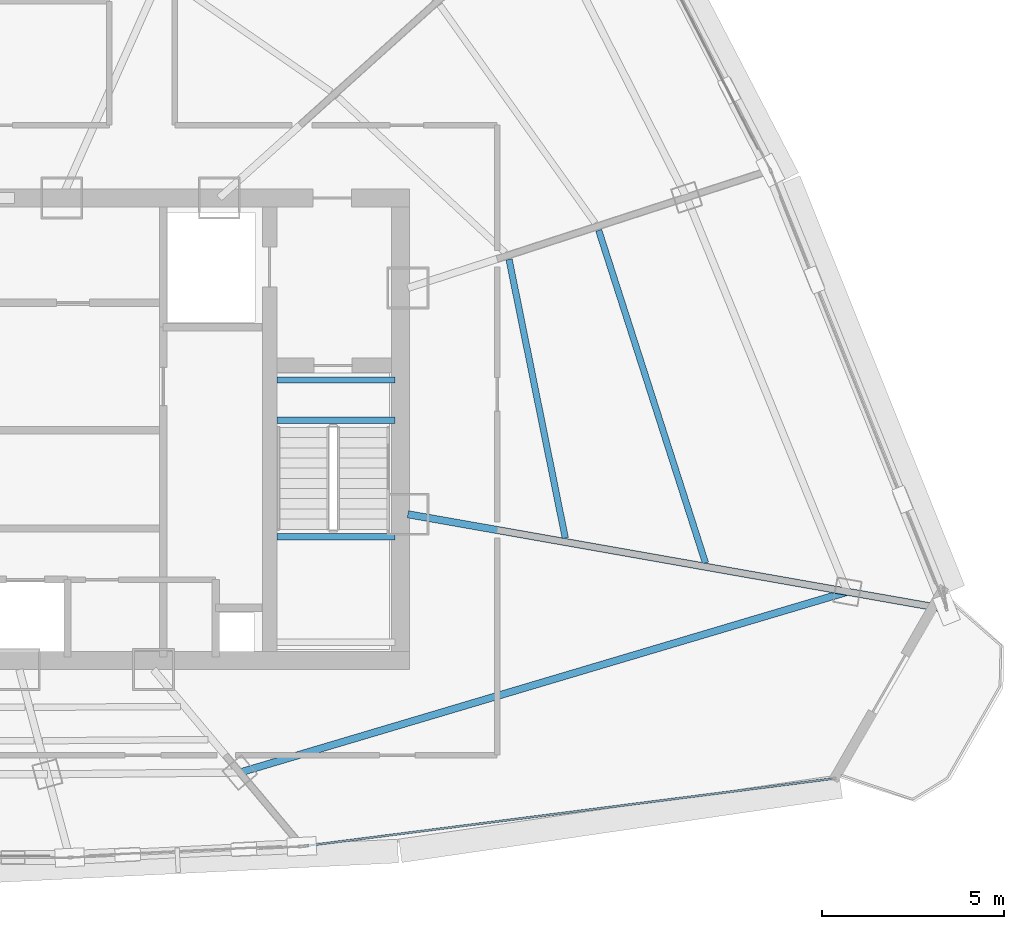
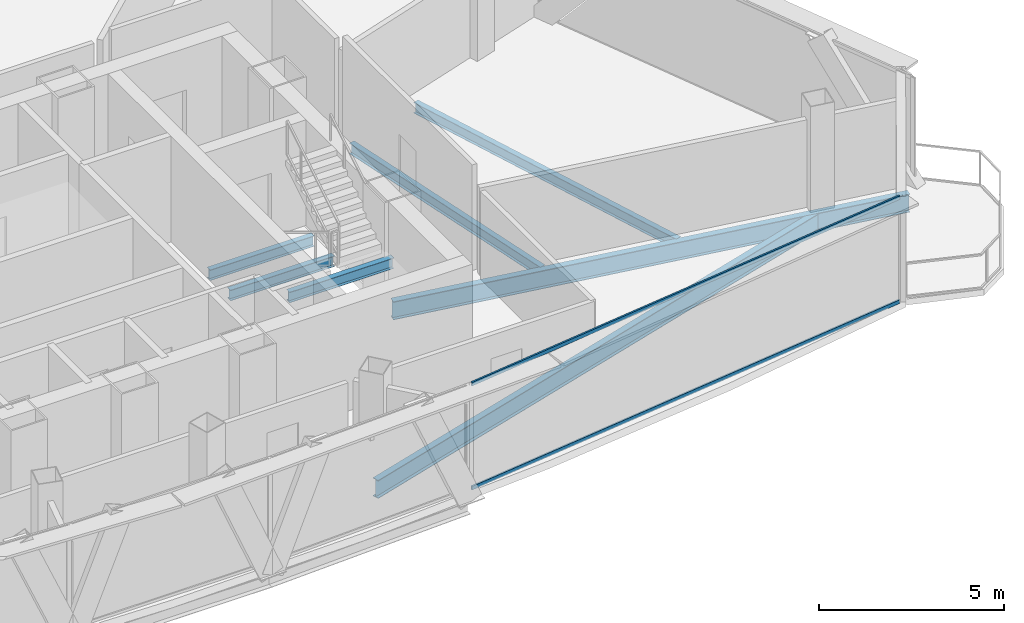
# One storey, part 12 of 30: 7 beams, 2 members, 1 element without a shape of its own.
"""IFC4 building model written with IfcOpenShell, lengths in metres."""

from ifc_helpers import new_model, si_unit, direction, frame, origin, origin_2d, place, context, subcontext, project, spatial, hollow_rectangle, i_section, extrude, source, transform, mapped, material, layer, layer_set, material_profile, profile_set, type_object, element, aggregate, save


model = new_model("IFC4")

# Units and contexts
model_context = context("Model", 3, precision=1e-05, world=origin(), true_north=direction((0.0, 1.0)))
body_context = subcontext(model_context, "Body", "Model", "MODEL_VIEW")
ifc_project = project(units=[si_unit("LENGTHUNIT", "METRE"), si_unit("AREAUNIT", "SQUARE_METRE"), si_unit("VOLUMEUNIT", "CUBIC_METRE"), si_unit("PLANEANGLEUNIT", "RADIAN"), si_unit("MASSUNIT", "GRAM", prefix="KILO"), si_unit("THERMODYNAMICTEMPERATUREUNIT", "KELVIN"), si_unit("POWERUNIT", "WATT")], contexts=[model_context])

# Site, building, storey
site_placement = place(None, origin())
site = spatial("IfcSite", under=ifc_project, at=site_placement, CompositionType="ELEMENT")
building_placement = place(site_placement, origin())
building = spatial("IfcBuilding", under=site, at=building_placement, Name="Yunzhuo Pagoda Commons", CompositionType="ELEMENT")
storey_placement = place(building_placement, frame((0.0, 0.0, 351.760009765625)))
storey = spatial("IfcBuildingStorey", under=building, at=storey_placement, Name="L88", CompositionType="ELEMENT", Elevation=351.760009765625)

# Beams
ifc_material_1 = material(Name="Structural steel Q355B", Category="steel")
ifc_material_profile_1 = material_profile(ifc_material_1, i_section(OverallWidth=0.175048828125, OverallDepth=0.35009765625, WebThickness=0.007080078125, FlangeThickness=0.010986328125, at=origin_2d()), Name="Structural steel Q355B")
ifc_profile_set_1 = profile_set([ifc_material_profile_1], Name="Structural steel Q355B")
beam_type_1 = type_object("IfcBeamType", Name="B-JS2 Joist HN 350x175x7x11", PredefinedType="JOIST", material=ifc_profile_set_1)
shared_shape_1 = source(origin(), body_context, "Body", "SweptSolid", [
    extrude(i_section(OverallWidth=0.175048828125, OverallDepth=0.35009765625, WebThickness=0.007080078125, FlangeThickness=0.010986328125, at=origin_2d()), origin(), (0.0, 0.0, 1.0), 3.25),
])
for number, where, z_axis, x_axis, name in (
    (1, (56.800048828125, 30.89990234375, 1.5), (1.0, 0.0, 0.0), (0.0, 1.0, 0.0), "L88 ST2 landing support beam 94B"),
    (2, (56.800048828125, 34.10009765625, -0.375), (1.0, 0.0, 0.0), (0.0, 1.0, 0.0), "L88 ST2 landing support beam 192A"),
    (3, (56.800048828125, 35.199951171875, -0.375), (1.0, 0.0, 0.0), (0.0, 1.0, 0.0), "L88 ST2 landing support beam 192B"),
):
    element("IfcBeam", number, at=place(storey_placement, frame(where, z_axis=z_axis, x_axis=x_axis)), inside=storey, type_object=beam_type_1, Name=name, PredefinedType="JOIST", context=body_context, shape_type="MappedRepresentation", body=[
        mapped(shared_shape_1, transform((0.0, 0.0, 0.0), scale=1.0)),
    ])
ifc_material_profile_2 = material_profile(ifc_material_1, i_section(OverallWidth=0.199951171875, OverallDepth=0.60009765625, WebThickness=0.010986328125, FlangeThickness=0.01708984375, at=origin_2d()), Name="Structural steel Q355B")
ifc_profile_set_2 = profile_set([ifc_material_profile_2], Name="Structural steel Q355B")
beam_type_2 = type_object("IfcBeamType", Name="B-RG3 Beam HN 600x200x11x17", PredefinedType="BEAM", material=ifc_profile_set_2)
shared_shape_2 = source(origin(), body_context, "Body", "SweptSolid", [
    extrude(i_section(OverallWidth=0.199951171875, OverallDepth=0.60009765625, WebThickness=0.010986328125, FlangeThickness=0.01708984375, at=origin_2d()), origin(), (0.0, 0.0, 1.0), 17.407470703125),
])
beam_1_placement = place(storey_placement, frame((55.785400390625, 24.421630859375, -0.56005859375), z_axis=(0.958484984609, 0.285143006717, 0.0), x_axis=(-0.285143006717, 0.958484984609, 0.0)))
element("IfcBeam", 4, at=beam_1_placement, inside=storey, type_object=beam_type_2, Name="L88 column-ring beam 4", PredefinedType="BEAM", context=body_context, shape_type="MappedRepresentation", body=[
    mapped(shared_shape_2, transform((0.0, 0.0, 0.0), scale=1.0)),
])
shared_shape_3 = source(origin(), body_context, "Body", "SweptSolid", [
    extrude(i_section(OverallWidth=0.175048828125, OverallDepth=0.35009765625, WebThickness=0.007080078125, FlangeThickness=0.010986328125, at=origin_2d()), origin(), (0.0, 0.0, 1.0), 7.8056640625),
])
beam_2_placement = place(storey_placement, frame((64.722412109375, 30.860107421875, -0.43505859375), z_axis=(-0.197830082137, 0.980236327934, 0.0), x_axis=(-0.980236327934, -0.197830082137, 0.0)))
element("IfcBeam", 5, at=beam_2_placement, inside=storey, type_object=beam_type_1, Name="L88 composite ring joist 1.5", PredefinedType="JOIST", context=body_context, shape_type="MappedRepresentation", body=[
    mapped(shared_shape_3, transform((0.0, 0.0, 0.0), scale=1.0)),
])
shared_shape_4 = source(origin(), body_context, "Body", "SweptSolid", [
    extrude(i_section(OverallWidth=0.175048828125, OverallDepth=0.35009765625, WebThickness=0.007080078125, FlangeThickness=0.010986328125, at=origin_2d()), origin(), (0.0, 0.0, 1.0), 9.593994140625),
])
beam_3_placement = place(storey_placement, frame((68.572509765625, 30.17578125, -0.43505859375), z_axis=(-0.305719218499, 0.952121714614, 0.0), x_axis=(-0.952121714614, -0.305719218499, 0.0)))
element("IfcBeam", 6, at=beam_3_placement, inside=storey, type_object=beam_type_1, Name="L88 composite ring joist 2.5", PredefinedType="JOIST", context=body_context, shape_type="MappedRepresentation", body=[
    mapped(shared_shape_4, transform((0.0, 0.0, 0.0), scale=1.0)),
])
shared_shape_5 = source(origin(), body_context, "Body", "SweptSolid", [
    extrude(i_section(OverallWidth=0.199951171875, OverallDepth=0.60009765625, WebThickness=0.010986328125, FlangeThickness=0.01708984375, at=origin_2d()), origin(), (0.0, 0.0, 1.0), 14.866943359375),
])
beam_4_placement = place(storey_placement, frame((75.041015625, 28.931884765625, -0.56005859375), z_axis=(-0.984808677013, 0.173642937314, 0.0), x_axis=(-0.173642937314, -0.984808677013, 0.0)))
element("IfcBeam", 7, at=beam_4_placement, inside=storey, type_object=beam_type_2, Name="L88 radial floor girder F2C1", PredefinedType="BEAM", context=body_context, shape_type="MappedRepresentation", body=[
    mapped(shared_shape_5, transform((0.0, 0.0, 0.0), scale=1.0)),
])

# Curtain wall, members
ifc_material_2 = material(Name="Anodized aluminium 6063-T6", Category="aluminium")
ifc_layer = layer(ifc_material_2, 0.139892578125)
ifc_layer_set = layer_set([ifc_layer], Name="Anodized aluminium 6063-T6")
curtain_wall_type = type_object("IfcCurtainWallType", Name="CW-HI High-Zone Ribbon Curtain Wall", PredefinedType="NOTDEFINED", material=ifc_layer_set)
curtain_wall_placement = place(storey_placement, origin())
curtain_wall = element("IfcCurtainWall", 8, at=curtain_wall_placement, inside=storey, type_object=curtain_wall_type, Name="L88 curtain wall CW-L88-F1B5", PredefinedType="NOTDEFINED")
ifc_material_profile_3 = material_profile(ifc_material_2, hollow_rectangle(XDim=0.054931640625, YDim=0.1201171875, WallThickness=0.00341796875, at=origin_2d()), Name="Anodized aluminium 6063-T6")
ifc_profile_set_3 = profile_set([ifc_material_profile_3], Name="Anodized aluminium 6063-T6")
member_type = type_object("IfcMemberType", Name="CW-HI-T Transom RHS 120x55x3.5", PredefinedType="USERDEFINED", material=ifc_profile_set_3)
shared_shape_6 = source(origin(), body_context, "Body", "SweptSolid", [
    extrude(hollow_rectangle(XDim=0.054931640625, YDim=0.1201171875, WallThickness=0.00341796875, at=origin_2d()), origin(), (0.0, 0.0, 1.0), 14.54931640625),
])
member_1_placement = place(storey_placement, frame((57.621337890625, 22.410400390625, 0.027587890625), z_axis=(0.991959463603, 0.126556005658, 0.0), x_axis=(-0.126556005658, 0.991959463603, 0.0)))
member_1 = element("IfcMember", 9, at=member_1_placement, type_object=member_type, Name="CW transom 1.1", ObjectType="TRANSOM", PredefinedType="USERDEFINED", context=body_context, shape_type="MappedRepresentation", body=[
    mapped(shared_shape_6, transform((0.0, 0.0, 0.0), scale=1.0)),
])
member_2_placement = place(storey_placement, frame((57.621337890625, 22.410400390625, 3.46240234375), z_axis=(0.991959463603, 0.126556005658, 0.0), x_axis=(-0.126556005658, 0.991959463603, 0.0)))
member_2 = element("IfcMember", 10, at=member_2_placement, type_object=member_type, Name="CW transom 1.2", ObjectType="TRANSOM", PredefinedType="USERDEFINED", context=body_context, shape_type="MappedRepresentation", body=[
    mapped(shared_shape_6, transform((0.0, 0.0, 0.0), scale=1.0)),
])
aggregate(curtain_wall, [member_1, member_2])

save(model, "model.ifc")
